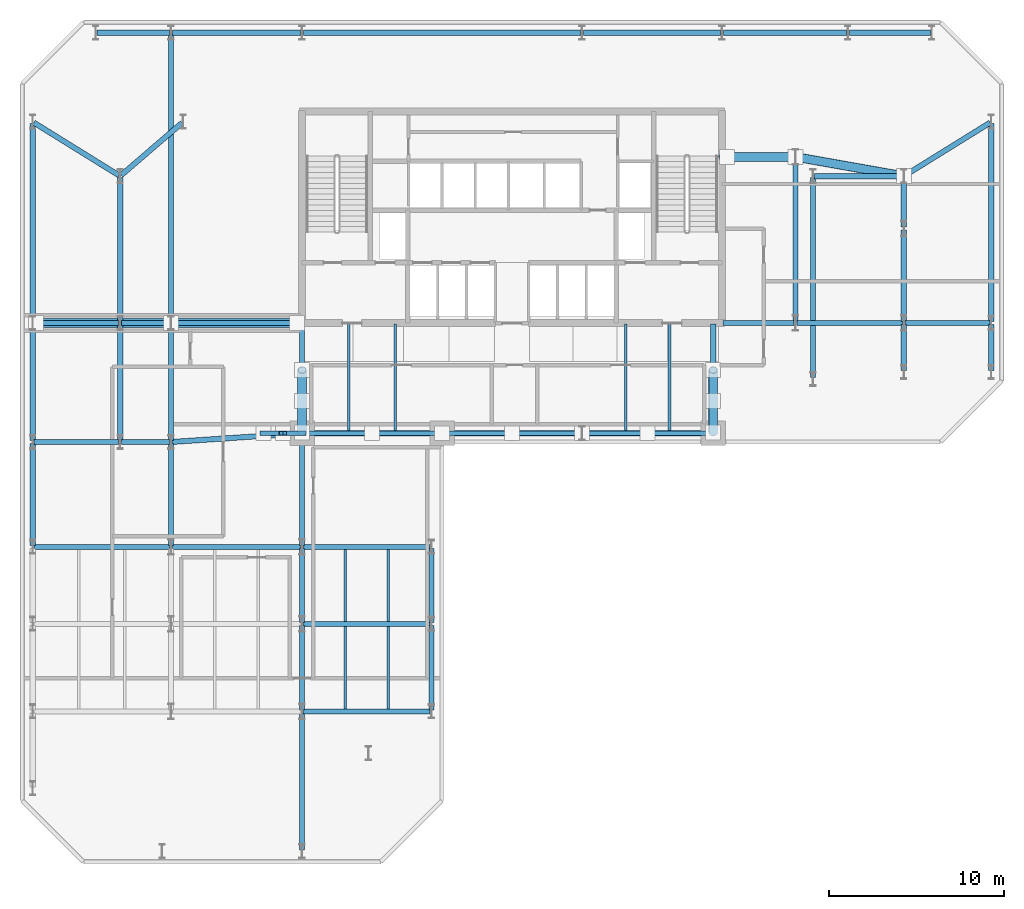
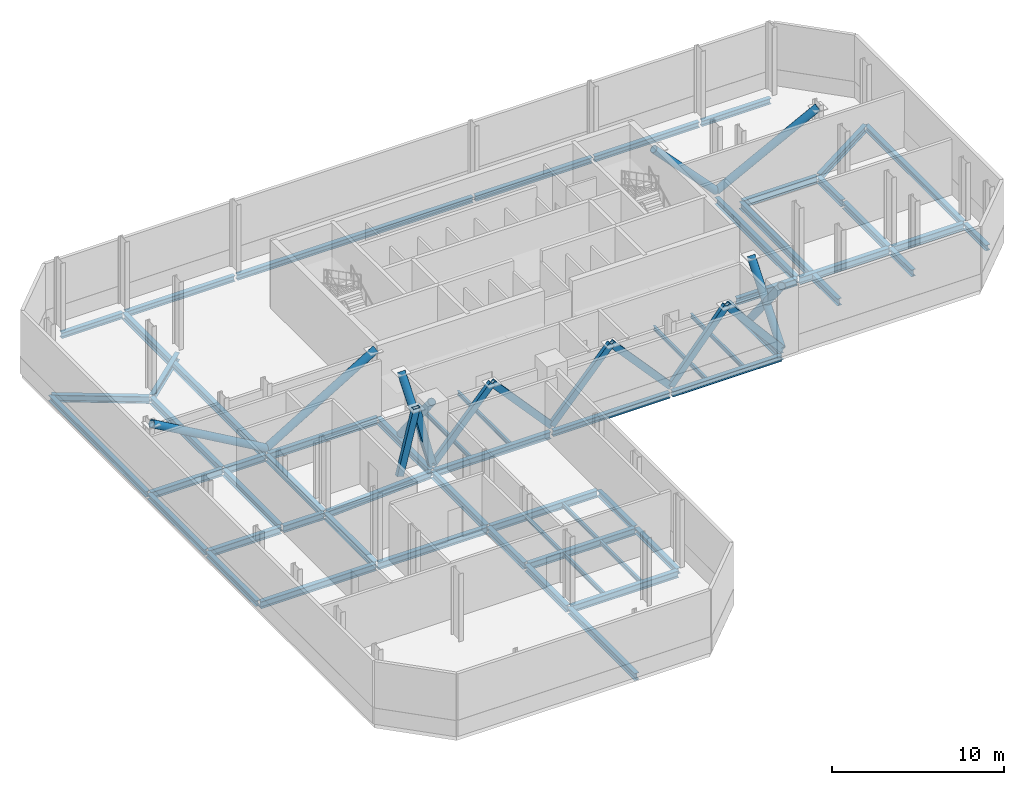
# One storey, part 3 of 8: 58 beams, 18 members.
"""IFC4 building model written with IfcOpenShell, lengths in metres."""

from ifc_helpers import new_model, si_unit, direction, frame, origin, origin_2d, place, context, subcontext, project, spatial, hollow_rectangle, hollow_circle, i_section, extrude, material, material_profile, profile_set, type_object, element, save


model = new_model("IFC4")

# Units and contexts
model_context = context("Model", 3, precision=1e-05, world=origin(), true_north=direction((0.0, 1.0)))
body_context = subcontext(model_context, "Body", "Model", "MODEL_VIEW")
ifc_project = project(units=[si_unit("LENGTHUNIT", "METRE"), si_unit("AREAUNIT", "SQUARE_METRE"), si_unit("VOLUMEUNIT", "CUBIC_METRE"), si_unit("PLANEANGLEUNIT", "RADIAN"), si_unit("MASSUNIT", "GRAM", prefix="KILO")], contexts=[model_context])

# Site, building, storey
site_placement = place(None, origin())
site = spatial("IfcSite", under=ifc_project, at=site_placement, CompositionType="ELEMENT")
building_placement = place(site_placement, origin())
building = spatial("IfcBuilding", under=site, at=building_placement, Name="Catumbela Crestline Tower", CompositionType="ELEMENT")
storey_placement = place(building_placement, frame((0.0, 0.0, 79.8)))
storey = spatial("IfcBuildingStorey", under=building, at=storey_placement, Name="L20", CompositionType="ELEMENT", Elevation=79.8)

# Beams
ifc_material_1 = material(Name="Structural steel S355J2", Category="steel")
ifc_material_profile_1 = material_profile(ifc_material_1, i_section(OverallWidth=0.3, OverallDepth=0.49, WebThickness=0.012, FlangeThickness=0.023, FilletRadius=0.027, at=origin_2d()), Name="HEA 500")
ifc_profile_set_1 = profile_set([ifc_material_profile_1], Name="Structural steel S355J2")
beam_type_1 = type_object("IfcBeamType", Name="BG-HEA500", PredefinedType="BEAM", material=ifc_profile_set_1)
beam_1_placement = place(storey_placement, frame((0.68, 24.0, -0.595), z_axis=(1.0, 0.0, 0.0), x_axis=(0.0, 1.0, 0.0)))
element("IfcBeam", 1, at=beam_1_placement, inside=storey, type_object=beam_type_1, Name="L20 Beam BM-L20-S01", PredefinedType="BEAM", context=body_context, shape_type="SweptSolid", body=[
    extrude(i_section(OverallWidth=0.3, OverallDepth=0.49, WebThickness=0.012, FlangeThickness=0.023, FilletRadius=0.027, at=origin_2d()), origin(), (0.0, 0.0, 1.0), 4.84),
])
beam_2_placement = place(storey_placement, frame((5.68, 24.0, -0.595), z_axis=(1.0, 0.0, 0.0), x_axis=(0.0, 1.0, 0.0)))
element("IfcBeam", 2, at=beam_2_placement, inside=storey, type_object=beam_type_1, Name="L20 Beam BM-L20-S02", PredefinedType="BEAM", context=body_context, shape_type="SweptSolid", body=[
    extrude(i_section(OverallWidth=0.3, OverallDepth=0.49, WebThickness=0.012, FlangeThickness=0.023, FilletRadius=0.027, at=origin_2d()), origin(), (0.0, 0.0, 1.0), 2.74),
])
beam_3_placement = place(storey_placement, frame((8.5798, 24.0053, -0.595), z_axis=(0.997784796964, 0.066524423687, 0.0), x_axis=(-0.066524423687, 0.997784796964, 0.0)))
element("IfcBeam", 3, at=beam_3_placement, inside=storey, type_object=beam_type_1, Name="L20 Beam BM-L20-S03", PredefinedType="BEAM", context=body_context, shape_type="SweptSolid", body=[
    extrude(i_section(OverallWidth=0.3, OverallDepth=0.49, WebThickness=0.012, FlangeThickness=0.023, FilletRadius=0.027, at=origin_2d()), origin(), (0.0, 0.0, 1.0), 7.3567),
])
beam_4_placement = place(storey_placement, frame((16.08, 24.5, -0.595), z_axis=(1.0, 0.0, 0.0), x_axis=(0.0, 1.0, 0.0)))
element("IfcBeam", 4, at=beam_4_placement, inside=storey, type_object=beam_type_1, Name="L20 Beam BM-L20-S04", PredefinedType="BEAM", context=body_context, shape_type="SweptSolid", body=[
    extrude(i_section(OverallWidth=0.3, OverallDepth=0.49, WebThickness=0.012, FlangeThickness=0.023, FilletRadius=0.027, at=origin_2d()), origin(), (0.0, 0.0, 1.0), 7.84),
])
beam_5_placement = place(storey_placement, frame((0.68, 30.8, -0.595), z_axis=(1.0, 0.0, 0.0), x_axis=(0.0, 1.0, 0.0)))
element("IfcBeam", 5, at=beam_5_placement, inside=storey, type_object=beam_type_1, Name="L20 Beam BM-L20-M07", PredefinedType="BEAM", context=body_context, shape_type="SweptSolid", body=[
    extrude(i_section(OverallWidth=0.3, OverallDepth=0.49, WebThickness=0.012, FlangeThickness=0.023, FilletRadius=0.027, at=origin_2d()), origin(), (0.0, 0.0, 1.0), 4.84),
])
beam_6_placement = place(storey_placement, frame((5.68, 30.8, -0.595), z_axis=(1.0, 0.0, 0.0), x_axis=(0.0, 1.0, 0.0)))
element("IfcBeam", 6, at=beam_6_placement, inside=storey, type_object=beam_type_1, Name="L20 Beam BM-L20-M08", PredefinedType="BEAM", context=body_context, shape_type="SweptSolid", body=[
    extrude(i_section(OverallWidth=0.3, OverallDepth=0.49, WebThickness=0.012, FlangeThickness=0.023, FilletRadius=0.027, at=origin_2d()), origin(), (0.0, 0.0, 1.0), 2.74),
])
beam_7_placement = place(storey_placement, frame((8.58, 30.8, -0.595), z_axis=(1.0, 0.0, 0.0), x_axis=(0.0, 1.0, 0.0)))
element("IfcBeam", 7, at=beam_7_placement, inside=storey, type_object=beam_type_1, Name="L20 Beam BM-L20-M09", PredefinedType="BEAM", context=body_context, shape_type="SweptSolid", body=[
    extrude(i_section(OverallWidth=0.3, OverallDepth=0.49, WebThickness=0.012, FlangeThickness=0.023, FilletRadius=0.027, at=origin_2d()), origin(), (0.0, 0.0, 1.0), 7.37),
])
beam_8_placement = place(storey_placement, frame((40.05, 30.8, -0.595), z_axis=(1.0, 0.0, 0.0), x_axis=(0.0, 1.0, 0.0)))
element("IfcBeam", 8, at=beam_8_placement, inside=storey, type_object=beam_type_1, Name="L20 Beam BM-L20-M10", PredefinedType="BEAM", context=body_context, shape_type="SweptSolid", body=[
    extrude(i_section(OverallWidth=0.3, OverallDepth=0.49, WebThickness=0.012, FlangeThickness=0.023, FilletRadius=0.027, at=origin_2d()), origin(), (0.0, 0.0, 1.0), 4.07),
])
beam_9_placement = place(storey_placement, frame((44.28, 30.8, -0.595), z_axis=(1.0, 0.0, 0.0), x_axis=(0.0, 1.0, 0.0)))
element("IfcBeam", 9, at=beam_9_placement, inside=storey, type_object=beam_type_1, Name="L20 Beam BM-L20-M11", PredefinedType="BEAM", context=body_context, shape_type="SweptSolid", body=[
    extrude(i_section(OverallWidth=0.3, OverallDepth=0.49, WebThickness=0.012, FlangeThickness=0.023, FilletRadius=0.027, at=origin_2d()), origin(), (0.0, 0.0, 1.0), 6.04),
])
beam_10_placement = place(storey_placement, frame((50.48, 30.8, -0.595), z_axis=(1.0, 0.0, 0.0), x_axis=(0.0, 1.0, 0.0)))
element("IfcBeam", 10, at=beam_10_placement, inside=storey, type_object=beam_type_1, Name="L20 Beam BM-L20-M12", PredefinedType="BEAM", context=body_context, shape_type="SweptSolid", body=[
    extrude(i_section(OverallWidth=0.3, OverallDepth=0.49, WebThickness=0.012, FlangeThickness=0.023, FilletRadius=0.027, at=origin_2d()), origin(), (0.0, 0.0, 1.0), 4.84),
])
beam_11_placement = place(storey_placement, frame((0.668, 42.2578, -0.595), z_axis=(0.849908952007, -0.526929571479, 0.0), x_axis=(0.526929571479, 0.849908952007, 0.0)))
element("IfcBeam", 11, at=beam_11_placement, inside=storey, type_object=beam_type_1, Name="L20 Beam BM-L20-N13", PredefinedType="BEAM", context=body_context, shape_type="SweptSolid", body=[
    extrude(i_section(OverallWidth=0.3, OverallDepth=0.49, WebThickness=0.012, FlangeThickness=0.023, FilletRadius=0.027, at=origin_2d()), origin(), (0.0, 0.0, 1.0), 5.723),
])
beam_12_placement = place(storey_placement, frame((5.6606, 39.2522, -0.595), z_axis=(0.757772392559, 0.652518966066, 0.0), x_axis=(-0.652518966066, 0.757772392559, 0.0)))
element("IfcBeam", 12, at=beam_12_placement, inside=storey, type_object=beam_type_1, Name="L20 Beam BM-L20-N14", PredefinedType="BEAM", context=body_context, shape_type="SweptSolid", body=[
    extrude(i_section(OverallWidth=0.3, OverallDepth=0.49, WebThickness=0.012, FlangeThickness=0.023, FilletRadius=0.027, at=origin_2d()), origin(), (0.0, 0.0, 1.0), 4.5908),
])
beam_13_placement = place(storey_placement, frame((45.28, 39.2, -0.595), z_axis=(1.0, 0.0, 0.0), x_axis=(0.0, 1.0, 0.0)))
element("IfcBeam", 13, at=beam_13_placement, inside=storey, type_object=beam_type_1, Name="L20 Beam BM-L20-N17", PredefinedType="BEAM", context=body_context, shape_type="SweptSolid", body=[
    extrude(i_section(OverallWidth=0.3, OverallDepth=0.49, WebThickness=0.012, FlangeThickness=0.023, FilletRadius=0.027, at=origin_2d()), origin(), (0.0, 0.0, 1.0), 5.04),
])
beam_14_placement = place(storey_placement, frame((50.468, 39.2422, -0.595), z_axis=(0.849908952007, 0.526929571479, 0.0), x_axis=(-0.526929571479, 0.849908952007, 0.0)))
element("IfcBeam", 14, at=beam_14_placement, inside=storey, type_object=beam_type_1, Name="L20 Beam BM-L20-N18", PredefinedType="BEAM", context=body_context, shape_type="SweptSolid", body=[
    extrude(i_section(OverallWidth=0.3, OverallDepth=0.49, WebThickness=0.012, FlangeThickness=0.023, FilletRadius=0.027, at=origin_2d()), origin(), (0.0, 0.0, 1.0), 5.723),
])
beam_15_placement = place(storey_placement, frame((5.6, 24.08, -0.595), z_axis=(0.0, 1.0, 0.0), x_axis=(-1.0, 0.0, 0.0)))
element("IfcBeam", 15, at=beam_15_placement, inside=storey, type_object=beam_type_1, Name="L20 Beam BM-L20-SN27", PredefinedType="BEAM", context=body_context, shape_type="SweptSolid", body=[
    extrude(i_section(OverallWidth=0.3, OverallDepth=0.49, WebThickness=0.012, FlangeThickness=0.023, FilletRadius=0.027, at=origin_2d()), origin(), (0.0, 0.0, 1.0), 6.64),
])
beam_16_placement = place(storey_placement, frame((5.6, 30.88, -0.595), z_axis=(0.0, 1.0, 0.0), x_axis=(-1.0, 0.0, 0.0)))
element("IfcBeam", 16, at=beam_16_placement, inside=storey, type_object=beam_type_1, Name="L20 Beam BM-L20-SN28", PredefinedType="BEAM", context=body_context, shape_type="SweptSolid", body=[
    extrude(i_section(OverallWidth=0.3, OverallDepth=0.49, WebThickness=0.012, FlangeThickness=0.023, FilletRadius=0.027, at=origin_2d()), origin(), (0.0, 0.0, 1.0), 8.24),
])
beam_17_placement = place(storey_placement, frame((8.5, 24.08, -0.595), z_axis=(0.0, 1.0, 0.0), x_axis=(-1.0, 0.0, 0.0)))
element("IfcBeam", 17, at=beam_17_placement, inside=storey, type_object=beam_type_1, Name="L20 Beam BM-L20-SN29", PredefinedType="BEAM", context=body_context, shape_type="SweptSolid", body=[
    extrude(i_section(OverallWidth=0.3, OverallDepth=0.49, WebThickness=0.012, FlangeThickness=0.023, FilletRadius=0.027, at=origin_2d()), origin(), (0.0, 0.0, 1.0), 6.64),
])
beam_18_placement = place(storey_placement, frame((8.5, 30.88, -0.595), z_axis=(0.0, 1.0, 0.0), x_axis=(-1.0, 0.0, 0.0)))
element("IfcBeam", 18, at=beam_18_placement, inside=storey, type_object=beam_type_1, Name="L20 Beam BM-L20-SN30", PredefinedType="BEAM", context=body_context, shape_type="SweptSolid", body=[
    extrude(i_section(OverallWidth=0.3, OverallDepth=0.49, WebThickness=0.012, FlangeThickness=0.023, FilletRadius=0.027, at=origin_2d()), origin(), (0.0, 0.0, 1.0), 16.44),
])
for number, where, z_axis, x_axis, name in (
    (19, (16.0, 24.58, -0.595), (0.0, 1.0, 0.0), (-1.0, 0.0, 0.0), "L20 Beam BM-L20-SNS31"),
    (20, (39.5, 24.58, -0.595), (0.0, 1.0, 0.0), (-1.0, 0.0, 0.0), "L20 Beam BM-L20-SNS34"),
):
    element("IfcBeam", number, at=place(storey_placement, frame(where, z_axis=z_axis, x_axis=x_axis)), inside=storey, type_object=beam_type_1, Name=name, PredefinedType="BEAM", context=body_context, shape_type="SweptSolid", body=[
        extrude(i_section(OverallWidth=0.3, OverallDepth=0.49, WebThickness=0.012, FlangeThickness=0.023, FilletRadius=0.027, at=origin_2d()), origin(), (0.0, 0.0, 1.0), 6.17),
    ])
beam_19_placement = place(storey_placement, frame((44.2, 30.88, -0.595), z_axis=(0.0, 1.0, 0.0), x_axis=(-1.0, 0.0, 0.0)))
element("IfcBeam", 21, at=beam_19_placement, inside=storey, type_object=beam_type_1, Name="L20 Beam BM-L20-SN35", PredefinedType="BEAM", context=body_context, shape_type="SweptSolid", body=[
    extrude(i_section(OverallWidth=0.3, OverallDepth=0.49, WebThickness=0.012, FlangeThickness=0.023, FilletRadius=0.027, at=origin_2d()), origin(), (0.0, 0.0, 1.0), 9.34),
])
beam_20_placement = place(storey_placement, frame((45.2, 27.68, -0.595), z_axis=(0.0, 1.0, 0.0), x_axis=(-1.0, 0.0, 0.0)))
element("IfcBeam", 22, at=beam_20_placement, inside=storey, type_object=beam_type_1, Name="L20 Beam BM-L20-SN36", PredefinedType="BEAM", context=body_context, shape_type="SweptSolid", body=[
    extrude(i_section(OverallWidth=0.3, OverallDepth=0.49, WebThickness=0.012, FlangeThickness=0.023, FilletRadius=0.027, at=origin_2d()), origin(), (0.0, 0.0, 1.0), 11.44),
])
beam_21_placement = place(storey_placement, frame((50.4, 28.08, -0.595), z_axis=(0.0, 1.0, 0.0), x_axis=(-1.0, 0.0, 0.0)))
element("IfcBeam", 23, at=beam_21_placement, inside=storey, type_object=beam_type_1, Name="L20 Beam BM-L20-SN37", PredefinedType="BEAM", context=body_context, shape_type="SweptSolid", body=[
    extrude(i_section(OverallWidth=0.3, OverallDepth=0.49, WebThickness=0.012, FlangeThickness=0.023, FilletRadius=0.027, at=origin_2d()), origin(), (0.0, 0.0, 1.0), 2.64),
])
beam_22_placement = place(storey_placement, frame((50.4, 30.88, -0.595), z_axis=(0.0, 1.0, 0.0), x_axis=(-1.0, 0.0, 0.0)))
element("IfcBeam", 24, at=beam_22_placement, inside=storey, type_object=beam_type_1, Name="L20 Beam BM-L20-SN38", PredefinedType="BEAM", context=body_context, shape_type="SweptSolid", body=[
    extrude(i_section(OverallWidth=0.3, OverallDepth=0.49, WebThickness=0.012, FlangeThickness=0.023, FilletRadius=0.027, at=origin_2d()), origin(), (0.0, 0.0, 1.0), 5.24),
])
beam_23_placement = place(storey_placement, frame((50.4, 36.28, -0.595), z_axis=(0.0, 1.0, 0.0), x_axis=(-1.0, 0.0, 0.0)))
element("IfcBeam", 25, at=beam_23_placement, inside=storey, type_object=beam_type_1, Name="L20 Beam BM-L20-SN39", PredefinedType="BEAM", context=body_context, shape_type="SweptSolid", body=[
    extrude(i_section(OverallWidth=0.3, OverallDepth=0.49, WebThickness=0.012, FlangeThickness=0.023, FilletRadius=0.027, at=origin_2d()), origin(), (0.0, 0.0, 1.0), 2.84),
])
for number, where, z_axis, x_axis, name in (
    (26, (16.08, 8.6, -0.595), (1.0, 0.0, 0.0), (0.0, 1.0, 0.0), "L20 Beam BM-L20-WEW50"),
    (27, (16.08, 13.6, -0.595), (1.0, 0.0, 0.0), (0.0, 1.0, 0.0), "L20 Beam BM-L20-WEW53"),
):
    element("IfcBeam", number, at=place(storey_placement, frame(where, z_axis=z_axis, x_axis=x_axis)), inside=storey, type_object=beam_type_1, Name=name, PredefinedType="BEAM", context=body_context, shape_type="SweptSolid", body=[
        extrude(i_section(OverallWidth=0.3, OverallDepth=0.49, WebThickness=0.012, FlangeThickness=0.023, FilletRadius=0.027, at=origin_2d()), origin(), (0.0, 0.0, 1.0), 7.24),
    ])
beam_24_placement = place(storey_placement, frame((0.68, 18.0, -0.595), z_axis=(1.0, 0.0, 0.0), x_axis=(0.0, 1.0, 0.0)))
element("IfcBeam", 28, at=beam_24_placement, inside=storey, type_object=beam_type_1, Name="L20 Beam BM-L20-WEW54", PredefinedType="BEAM", context=body_context, shape_type="SweptSolid", body=[
    extrude(i_section(OverallWidth=0.3, OverallDepth=0.49, WebThickness=0.012, FlangeThickness=0.023, FilletRadius=0.027, at=origin_2d()), origin(), (0.0, 0.0, 1.0), 7.74),
])
beam_25_placement = place(storey_placement, frame((8.58, 18.0, -0.595), z_axis=(1.0, 0.0, 0.0), x_axis=(0.0, 1.0, 0.0)))
element("IfcBeam", 29, at=beam_25_placement, inside=storey, type_object=beam_type_1, Name="L20 Beam BM-L20-WEW55", PredefinedType="BEAM", context=body_context, shape_type="SweptSolid", body=[
    extrude(i_section(OverallWidth=0.3, OverallDepth=0.49, WebThickness=0.012, FlangeThickness=0.023, FilletRadius=0.027, at=origin_2d()), origin(), (0.0, 0.0, 1.0), 7.34),
])
beam_26_placement = place(storey_placement, frame((16.08, 18.0, -0.595), z_axis=(1.0, 0.0, 0.0), x_axis=(0.0, 1.0, 0.0)))
element("IfcBeam", 30, at=beam_26_placement, inside=storey, type_object=beam_type_1, Name="L20 Beam BM-L20-WEW56", PredefinedType="BEAM", context=body_context, shape_type="SweptSolid", body=[
    extrude(i_section(OverallWidth=0.3, OverallDepth=0.49, WebThickness=0.012, FlangeThickness=0.023, FilletRadius=0.027, at=origin_2d()), origin(), (0.0, 0.0, 1.0), 7.24),
])
beam_27_placement = place(storey_placement, frame((8.5, 18.08, -0.595), z_axis=(0.0, 1.0, 0.0), x_axis=(-1.0, 0.0, 0.0)))
element("IfcBeam", 31, at=beam_27_placement, inside=storey, type_object=beam_type_1, Name="L20 Beam BM-L20-WNS63", PredefinedType="BEAM", context=body_context, shape_type="SweptSolid", body=[
    extrude(i_section(OverallWidth=0.3, OverallDepth=0.49, WebThickness=0.012, FlangeThickness=0.023, FilletRadius=0.027, at=origin_2d()), origin(), (0.0, 0.0, 1.0), 5.84),
])
beam_28_placement = place(storey_placement, frame((16.0, 0.68, -0.595), z_axis=(0.0, 1.0, 0.0), x_axis=(-1.0, 0.0, 0.0)))
element("IfcBeam", 32, at=beam_28_placement, inside=storey, type_object=beam_type_1, Name="L20 Beam BM-L20-WNS64", PredefinedType="BEAM", context=body_context, shape_type="SweptSolid", body=[
    extrude(i_section(OverallWidth=0.3, OverallDepth=0.49, WebThickness=0.012, FlangeThickness=0.023, FilletRadius=0.027, at=origin_2d()), origin(), (0.0, 0.0, 1.0), 7.84),
])
beam_29_placement = place(storey_placement, frame((16.0, 8.68, -0.595), z_axis=(0.0, 1.0, 0.0), x_axis=(-1.0, 0.0, 0.0)))
element("IfcBeam", 33, at=beam_29_placement, inside=storey, type_object=beam_type_1, Name="L20 Beam BM-L20-WNS65", PredefinedType="BEAM", context=body_context, shape_type="SweptSolid", body=[
    extrude(i_section(OverallWidth=0.3, OverallDepth=0.49, WebThickness=0.012, FlangeThickness=0.023, FilletRadius=0.027, at=origin_2d()), origin(), (0.0, 0.0, 1.0), 4.84),
])
beam_30_placement = place(storey_placement, frame((16.0, 13.68, -0.595), z_axis=(0.0, 1.0, 0.0), x_axis=(-1.0, 0.0, 0.0)))
element("IfcBeam", 34, at=beam_30_placement, inside=storey, type_object=beam_type_1, Name="L20 Beam BM-L20-WNS66", PredefinedType="BEAM", context=body_context, shape_type="SweptSolid", body=[
    extrude(i_section(OverallWidth=0.3, OverallDepth=0.49, WebThickness=0.012, FlangeThickness=0.023, FilletRadius=0.027, at=origin_2d()), origin(), (0.0, 0.0, 1.0), 4.24),
])
beam_31_placement = place(storey_placement, frame((16.0, 18.08, -0.595), z_axis=(0.0, 1.0, 0.0), x_axis=(-1.0, 0.0, 0.0)))
element("IfcBeam", 35, at=beam_31_placement, inside=storey, type_object=beam_type_1, Name="L20 Beam BM-L20-WNS67", PredefinedType="BEAM", context=body_context, shape_type="SweptSolid", body=[
    extrude(i_section(OverallWidth=0.3, OverallDepth=0.49, WebThickness=0.012, FlangeThickness=0.023, FilletRadius=0.027, at=origin_2d()), origin(), (0.0, 0.0, 1.0), 6.34),
])
ifc_material_profile_2 = material_profile(ifc_material_1, i_section(OverallWidth=0.15, OverallDepth=0.3, WebThickness=0.0071, FlangeThickness=0.0107, FilletRadius=0.015, at=origin_2d()), Name="IPE 300")
ifc_profile_set_2 = profile_set([ifc_material_profile_2], Name="Structural steel S355J2")
beam_type_2 = type_object("IfcBeamType", Name="BJ-IPE300", PredefinedType="JOIST", material=ifc_profile_set_2)
for number, where, z_axis, x_axis, name in (
    (36, (18.667, 24.647, -0.5), (0.0, 1.0, 0.0), (-1.0, 0.0, 0.0), "L20 Joist JS-L20-SP42"),
    (37, (21.333, 24.647, -0.5), (0.0, 1.0, 0.0), (-1.0, 0.0, 0.0), "L20 Joist JS-L20-SP43"),
    (38, (34.5, 24.647, -0.5), (0.0, 1.0, 0.0), (-1.0, 0.0, 0.0), "L20 Joist JS-L20-SP46"),
    (39, (37.0, 24.647, -0.5), (0.0, 1.0, 0.0), (-1.0, 0.0, 0.0), "L20 Joist JS-L20-SP47"),
):
    element("IfcBeam", number, at=place(storey_placement, frame(where, z_axis=z_axis, x_axis=x_axis)), inside=storey, type_object=beam_type_2, Name=name, PredefinedType="JOIST", context=body_context, shape_type="SweptSolid", body=[
        extrude(i_section(OverallWidth=0.15, OverallDepth=0.3, WebThickness=0.0071, FlangeThickness=0.0107, FilletRadius=0.015, at=origin_2d()), origin(), (0.0, 0.0, 1.0), 6.103),
    ])
for number, where, z_axis, x_axis, name in (
    (40, (18.467, 8.747, -0.5), (0.0, 1.0, 0.0), (-1.0, 0.0, 0.0), "L20 Joist JS-L20-WG74"),
    (41, (20.933, 8.747, -0.5), (0.0, 1.0, 0.0), (-1.0, 0.0, 0.0), "L20 Joist JS-L20-WG75"),
):
    element("IfcBeam", number, at=place(storey_placement, frame(where, z_axis=z_axis, x_axis=x_axis)), inside=storey, type_object=beam_type_2, Name=name, PredefinedType="JOIST", context=body_context, shape_type="SweptSolid", body=[
        extrude(i_section(OverallWidth=0.15, OverallDepth=0.3, WebThickness=0.0071, FlangeThickness=0.0107, FilletRadius=0.015, at=origin_2d()), origin(), (0.0, 0.0, 1.0), 4.706),
    ])
for number, where, z_axis, x_axis, name in (
    (42, (18.467, 13.747, -0.5), (0.0, 1.0, 0.0), (-1.0, 0.0, 0.0), "L20 Joist JS-L20-WG80"),
    (43, (20.933, 13.747, -0.5), (0.0, 1.0, 0.0), (-1.0, 0.0, 0.0), "L20 Joist JS-L20-WG81"),
):
    element("IfcBeam", number, at=place(storey_placement, frame(where, z_axis=z_axis, x_axis=x_axis)), inside=storey, type_object=beam_type_2, Name=name, PredefinedType="JOIST", context=body_context, shape_type="SweptSolid", body=[
        extrude(i_section(OverallWidth=0.15, OverallDepth=0.3, WebThickness=0.0071, FlangeThickness=0.0107, FilletRadius=0.015, at=origin_2d()), origin(), (0.0, 0.0, 1.0), 4.106),
    ])

# Members
ifc_material_2 = material(Name="Structural steel S460M", Category="steel")
ifc_material_profile_3 = material_profile(ifc_material_2, hollow_rectangle(XDim=0.25, YDim=0.45, WallThickness=0.02, at=origin_2d()), Name="RHS 450x250x20")
ifc_profile_set_3 = profile_set([ifc_material_profile_3], Name="Structural steel S460M")
member_type_1 = type_object("IfcMemberType", Name="BB-450", PredefinedType="BRACE", material=ifc_profile_set_3)
for number, where, z_axis, x_axis, name in (
    (44, (13.8, 24.5, 0.01), (0.240988864291, 0.0, 0.970527880737), (0.0, 1.0, 0.0), "L20 Outrigger and Belt Truss Diagonal BT-S1"),
    (45, (14.9, 24.5, 4.44), (0.240988864291, 0.0, -0.970527880737), (0.0, 1.0, 0.0), "L20 Outrigger and Belt Truss Diagonal BT-S2"),
):
    element("IfcMember", number, at=place(storey_placement, frame(where, z_axis=z_axis, x_axis=x_axis)), inside=storey, type_object=member_type_1, Name=name, PredefinedType="BRACE", context=body_context, shape_type="SweptSolid", body=[
        extrude(hollow_rectangle(XDim=0.25, YDim=0.45, WallThickness=0.02, at=origin_2d()), origin(), (0.0, 0.0, 1.0), 4.5645),
    ])
for number, where, z_axis, x_axis, name in (
    (46, (16.0, 24.5, 0.01), (0.670167193853, 0.0, 0.742210167192), (0.0, 1.0, 0.0), "L20 Outrigger and Belt Truss Diagonal BT-S3"),
    (47, (20.0, 24.5, 4.44), (0.670167193853, 0.0, -0.742210167192), (0.0, 1.0, 0.0), "L20 Outrigger and Belt Truss Diagonal BT-S4"),
    (48, (24.0, 24.5, 0.01), (0.670167193853, 0.0, 0.742210167192), (0.0, 1.0, 0.0), "L20 Outrigger and Belt Truss Diagonal BT-S5"),
    (49, (28.0, 24.5, 4.44), (0.670167193853, 0.0, -0.742210167192), (0.0, 1.0, 0.0), "L20 Outrigger and Belt Truss Diagonal BT-S6"),
):
    element("IfcMember", number, at=place(storey_placement, frame(where, z_axis=z_axis, x_axis=x_axis)), inside=storey, type_object=member_type_1, Name=name, PredefinedType="BRACE", context=body_context, shape_type="SweptSolid", body=[
        extrude(hollow_rectangle(XDim=0.25, YDim=0.45, WallThickness=0.02, at=origin_2d()), origin(), (0.0, 0.0, 1.0), 5.9687),
    ])
for number, where, z_axis, x_axis, name in (
    (50, (32.0, 24.5, 0.01), (0.646096697338, 0.0, 0.763255565122), (0.0, 1.0, 0.0), "L20 Outrigger and Belt Truss Diagonal BT-S7"),
    (51, (35.75, 24.5, 4.44), (0.646096697338, 0.0, -0.763255565122), (0.0, 1.0, 0.0), "L20 Outrigger and Belt Truss Diagonal BT-S8"),
):
    element("IfcMember", number, at=place(storey_placement, frame(where, z_axis=z_axis, x_axis=x_axis)), inside=storey, type_object=member_type_1, Name=name, PredefinedType="BRACE", context=body_context, shape_type="SweptSolid", body=[
        extrude(hollow_rectangle(XDim=0.25, YDim=0.45, WallThickness=0.02, at=origin_2d()), origin(), (0.0, 0.0, 1.0), 5.8041),
    ])
ifc_material_profile_4 = material_profile(ifc_material_2, hollow_circle(Radius=0.254, WallThickness=0.03, at=origin_2d()), Name="CHS 508x30")
ifc_profile_set_4 = profile_set([ifc_material_profile_4], Name="Structural steel S460M")
member_type_2 = type_object("IfcMemberType", Name="OB-508", PredefinedType="BRACE", material=ifc_profile_set_4)
member_1_placement = place(storey_placement, frame((16.0, 28.12, 4.44), z_axis=(0.0, -0.627477572979, -0.778634635377), x_axis=(1.0, 0.0, 0.0)))
element("IfcMember", 52, at=member_1_placement, inside=storey, type_object=member_type_2, Name="L20 Outrigger and Belt Truss Diagonal OU-W1", PredefinedType="BRACE", context=body_context, shape_type="SweptSolid", body=[
    extrude(hollow_circle(Radius=0.254, WallThickness=0.03, at=origin_2d()), origin(), (0.0, 0.0, 1.0), 5.6894),
])
for number, where, z_axis, x_axis, name in (
    (53, (16.0, 28.12, 0.01), (0.0, -0.624695047554, 0.780868809443), (1.0, 0.0, 0.0), "L20 Outrigger and Belt Truss Diagonal OU-W2A"),
    (54, (16.0, 26.29, 2.265), (0.0, -0.624695047554, 0.780868809443), (1.0, 0.0, 0.0), "L20 Outrigger and Belt Truss Diagonal OU-W2B"),
):
    element("IfcMember", number, at=place(storey_placement, frame(where, z_axis=z_axis, x_axis=x_axis)), inside=storey, type_object=member_type_2, Name=name, PredefinedType="BRACE", context=body_context, shape_type="SweptSolid", body=[
        extrude(hollow_circle(Radius=0.254, WallThickness=0.03, at=origin_2d()), origin(), (0.0, 0.0, 1.0), 2.7854),
    ])
member_2_placement = place(storey_placement, frame((39.5, 28.12, 4.44), z_axis=(0.0, -0.627477572979, -0.778634635377), x_axis=(1.0, 0.0, 0.0)))
element("IfcMember", 55, at=member_2_placement, inside=storey, type_object=member_type_2, Name="L20 Outrigger and Belt Truss Diagonal OU-E1", PredefinedType="BRACE", context=body_context, shape_type="SweptSolid", body=[
    extrude(hollow_circle(Radius=0.254, WallThickness=0.03, at=origin_2d()), origin(), (0.0, 0.0, 1.0), 5.6894),
])
for number, where, z_axis, x_axis, name in (
    (56, (39.5, 28.12, 0.01), (0.0, -0.624695047554, 0.780868809443), (1.0, 0.0, 0.0), "L20 Outrigger and Belt Truss Diagonal OU-E2A"),
    (57, (39.5, 26.29, 2.265), (0.0, -0.624695047554, 0.780868809443), (1.0, 0.0, 0.0), "L20 Outrigger and Belt Truss Diagonal OU-E2B"),
):
    element("IfcMember", number, at=place(storey_placement, frame(where, z_axis=z_axis, x_axis=x_axis)), inside=storey, type_object=member_type_2, Name=name, PredefinedType="BRACE", context=body_context, shape_type="SweptSolid", body=[
        extrude(hollow_circle(Radius=0.254, WallThickness=0.03, at=origin_2d()), origin(), (0.0, 0.0, 1.0), 2.7854),
    ])
member_3_placement = place(storey_placement, frame((15.85, 30.8, 4.44), z_axis=(-0.85646304655, 0.0, -0.516208339621), x_axis=(0.0, -1.0, 0.0)))
element("IfcMember", 58, at=member_3_placement, inside=storey, type_object=member_type_2, Name="L20 Outrigger and Belt Truss Diagonal OU-LW1", PredefinedType="BRACE", context=body_context, shape_type="SweptSolid", body=[
    extrude(hollow_circle(Radius=0.254, WallThickness=0.03, at=origin_2d()), origin(), (0.0, 0.0, 1.0), 8.5818),
])
member_4_placement = place(storey_placement, frame((8.5, 30.8, 0.01), z_axis=(-0.867342916446, 0.0, 0.497711025888), x_axis=(0.0, -1.0, 0.0)))
element("IfcMember", 59, at=member_4_placement, inside=storey, type_object=member_type_2, Name="L20 Outrigger and Belt Truss Diagonal OU-LW2", PredefinedType="BRACE", context=body_context, shape_type="SweptSolid", body=[
    extrude(hollow_circle(Radius=0.254, WallThickness=0.03, at=origin_2d()), origin(), (0.0, 0.0, 1.0), 8.9007),
])
member_5_placement = place(storey_placement, frame((40.0, 40.3, 4.44), z_axis=(0.688017223549, 0.0, -0.725694357219), x_axis=(0.0, 1.0, 0.0)))
element("IfcMember", 60, at=member_5_placement, inside=storey, type_object=member_type_2, Name="L20 Outrigger and Belt Truss Diagonal OU-LE1", PredefinedType="BRACE", context=body_context, shape_type="SweptSolid", body=[
    extrude(hollow_circle(Radius=0.254, WallThickness=0.03, at=origin_2d()), origin(), (0.0, 0.0, 1.0), 6.1045),
])
member_6_placement = place(storey_placement, frame((44.2, 40.3, 0.01), z_axis=(0.805297358445, -0.142875337789, 0.575397951276), x_axis=(0.174691224621, 0.984623266047, 0.0)))
element("IfcMember", 61, at=member_6_placement, inside=storey, type_object=member_type_2, Name="L20 Outrigger and Belt Truss Diagonal OU-LE2", PredefinedType="BRACE", context=body_context, shape_type="SweptSolid", body=[
    extrude(hollow_circle(Radius=0.254, WallThickness=0.03, at=origin_2d()), origin(), (0.0, 0.0, 1.0), 7.699),
])

# Beams
ifc_material_profile_5 = material_profile(ifc_material_1, i_section(OverallWidth=0.3, OverallDepth=0.4, WebThickness=0.0135, FlangeThickness=0.024, FilletRadius=0.027, at=origin_2d()), Name="HEB 400")
ifc_profile_set_5 = profile_set([ifc_material_profile_5], Name="Structural steel S355J2")
beam_type_3 = type_object("IfcBeamType", Name="BS-HEB400", PredefinedType="SPANDREL", material=ifc_profile_set_5)
beam_32_placement = place(storey_placement, frame((24.08, 24.5, -0.55), z_axis=(1.0, 0.0, 0.0), x_axis=(0.0, 1.0, 0.0)))
element("IfcBeam", 62, at=beam_32_placement, inside=storey, type_object=beam_type_3, Name="L20 Spandrel SP-L20-S05", PredefinedType="SPANDREL", context=body_context, shape_type="SweptSolid", body=[
    extrude(i_section(OverallWidth=0.3, OverallDepth=0.4, WebThickness=0.0135, FlangeThickness=0.024, FilletRadius=0.027, at=origin_2d()), origin(), (0.0, 0.0, 1.0), 7.84),
])
beam_33_placement = place(storey_placement, frame((32.08, 24.5, -0.55), z_axis=(1.0, 0.0, 0.0), x_axis=(0.0, 1.0, 0.0)))
element("IfcBeam", 63, at=beam_33_placement, inside=storey, type_object=beam_type_3, Name="L20 Spandrel SP-L20-S06", PredefinedType="SPANDREL", context=body_context, shape_type="SweptSolid", body=[
    extrude(i_section(OverallWidth=0.3, OverallDepth=0.4, WebThickness=0.0135, FlangeThickness=0.024, FilletRadius=0.027, at=origin_2d()), origin(), (0.0, 0.0, 1.0), 7.34),
])
beam_34_placement = place(storey_placement, frame((4.28, 47.4, -0.55), z_axis=(1.0, 0.0, 0.0), x_axis=(0.0, 1.0, 0.0)))
element("IfcBeam", 64, at=beam_34_placement, inside=storey, type_object=beam_type_3, Name="L20 Spandrel SP-L20-NF19", PredefinedType="SPANDREL", context=body_context, shape_type="SweptSolid", body=[
    extrude(i_section(OverallWidth=0.3, OverallDepth=0.4, WebThickness=0.0135, FlangeThickness=0.024, FilletRadius=0.027, at=origin_2d()), origin(), (0.0, 0.0, 1.0), 4.14),
])
beam_35_placement = place(storey_placement, frame((8.58, 47.4, -0.55), z_axis=(1.0, 0.0, 0.0), x_axis=(0.0, 1.0, 0.0)))
element("IfcBeam", 65, at=beam_35_placement, inside=storey, type_object=beam_type_3, Name="L20 Spandrel SP-L20-NF20", PredefinedType="SPANDREL", context=body_context, shape_type="SweptSolid", body=[
    extrude(i_section(OverallWidth=0.3, OverallDepth=0.4, WebThickness=0.0135, FlangeThickness=0.024, FilletRadius=0.027, at=origin_2d()), origin(), (0.0, 0.0, 1.0), 7.34),
])
beam_36_placement = place(storey_placement, frame((16.08, 47.4, -0.55), z_axis=(1.0, 0.0, 0.0), x_axis=(0.0, 1.0, 0.0)))
element("IfcBeam", 66, at=beam_36_placement, inside=storey, type_object=beam_type_3, Name="L20 Spandrel SP-L20-NF21", PredefinedType="SPANDREL", context=body_context, shape_type="SweptSolid", body=[
    extrude(i_section(OverallWidth=0.3, OverallDepth=0.4, WebThickness=0.0135, FlangeThickness=0.024, FilletRadius=0.027, at=origin_2d()), origin(), (0.0, 0.0, 1.0), 15.84),
])
beam_37_placement = place(storey_placement, frame((32.08, 47.4, -0.55), z_axis=(1.0, 0.0, 0.0), x_axis=(0.0, 1.0, 0.0)))
element("IfcBeam", 67, at=beam_37_placement, inside=storey, type_object=beam_type_3, Name="L20 Spandrel SP-L20-NF22", PredefinedType="SPANDREL", context=body_context, shape_type="SweptSolid", body=[
    extrude(i_section(OverallWidth=0.3, OverallDepth=0.4, WebThickness=0.0135, FlangeThickness=0.024, FilletRadius=0.027, at=origin_2d()), origin(), (0.0, 0.0, 1.0), 7.84),
])
beam_38_placement = place(storey_placement, frame((40.08, 47.4, -0.55), z_axis=(1.0, 0.0, 0.0), x_axis=(0.0, 1.0, 0.0)))
element("IfcBeam", 68, at=beam_38_placement, inside=storey, type_object=beam_type_3, Name="L20 Spandrel SP-L20-NF23", PredefinedType="SPANDREL", context=body_context, shape_type="SweptSolid", body=[
    extrude(i_section(OverallWidth=0.3, OverallDepth=0.4, WebThickness=0.0135, FlangeThickness=0.024, FilletRadius=0.027, at=origin_2d()), origin(), (0.0, 0.0, 1.0), 7.04),
])
beam_39_placement = place(storey_placement, frame((47.28, 47.4, -0.55), z_axis=(1.0, 0.0, 0.0), x_axis=(0.0, 1.0, 0.0)))
element("IfcBeam", 69, at=beam_39_placement, inside=storey, type_object=beam_type_3, Name="L20 Spandrel SP-L20-NF24", PredefinedType="SPANDREL", context=body_context, shape_type="SweptSolid", body=[
    extrude(i_section(OverallWidth=0.3, OverallDepth=0.4, WebThickness=0.0135, FlangeThickness=0.024, FilletRadius=0.027, at=origin_2d()), origin(), (0.0, 0.0, 1.0), 4.64),
])
beam_40_placement = place(storey_placement, frame((0.6, 24.08, -0.55), z_axis=(0.0, 1.0, 0.0), x_axis=(-1.0, 0.0, 0.0)))
element("IfcBeam", 70, at=beam_40_placement, inside=storey, type_object=beam_type_3, Name="L20 Spandrel SP-L20-SN25", PredefinedType="SPANDREL", context=body_context, shape_type="SweptSolid", body=[
    extrude(i_section(OverallWidth=0.3, OverallDepth=0.4, WebThickness=0.0135, FlangeThickness=0.024, FilletRadius=0.027, at=origin_2d()), origin(), (0.0, 0.0, 1.0), 6.64),
])
beam_41_placement = place(storey_placement, frame((0.6, 30.88, -0.55), z_axis=(0.0, 1.0, 0.0), x_axis=(-1.0, 0.0, 0.0)))
element("IfcBeam", 71, at=beam_41_placement, inside=storey, type_object=beam_type_3, Name="L20 Spandrel SP-L20-SN26", PredefinedType="SPANDREL", context=body_context, shape_type="SweptSolid", body=[
    extrude(i_section(OverallWidth=0.3, OverallDepth=0.4, WebThickness=0.0135, FlangeThickness=0.024, FilletRadius=0.027, at=origin_2d()), origin(), (0.0, 0.0, 1.0), 11.34),
])
beam_42_placement = place(storey_placement, frame((55.4, 28.08, -0.55), z_axis=(0.0, 1.0, 0.0), x_axis=(-1.0, 0.0, 0.0)))
element("IfcBeam", 72, at=beam_42_placement, inside=storey, type_object=beam_type_3, Name="L20 Spandrel SP-L20-SN40", PredefinedType="SPANDREL", context=body_context, shape_type="SweptSolid", body=[
    extrude(i_section(OverallWidth=0.3, OverallDepth=0.4, WebThickness=0.0135, FlangeThickness=0.024, FilletRadius=0.027, at=origin_2d()), origin(), (0.0, 0.0, 1.0), 2.64),
])
beam_43_placement = place(storey_placement, frame((55.4, 30.88, -0.55), z_axis=(0.0, 1.0, 0.0), x_axis=(-1.0, 0.0, 0.0)))
element("IfcBeam", 73, at=beam_43_placement, inside=storey, type_object=beam_type_3, Name="L20 Spandrel SP-L20-SN41", PredefinedType="SPANDREL", context=body_context, shape_type="SweptSolid", body=[
    extrude(i_section(OverallWidth=0.3, OverallDepth=0.4, WebThickness=0.0135, FlangeThickness=0.024, FilletRadius=0.027, at=origin_2d()), origin(), (0.0, 0.0, 1.0), 11.34),
])
beam_44_placement = place(storey_placement, frame((0.6, 18.08, -0.55), z_axis=(0.0, 1.0, 0.0), x_axis=(-1.0, 0.0, 0.0)))
element("IfcBeam", 74, at=beam_44_placement, inside=storey, type_object=beam_type_3, Name="L20 Spandrel SP-L20-WNS60", PredefinedType="SPANDREL", context=body_context, shape_type="SweptSolid", body=[
    extrude(i_section(OverallWidth=0.3, OverallDepth=0.4, WebThickness=0.0135, FlangeThickness=0.024, FilletRadius=0.027, at=origin_2d()), origin(), (0.0, 0.0, 1.0), 5.84),
])
beam_45_placement = place(storey_placement, frame((23.4, 8.68, -0.55), z_axis=(0.0, 1.0, 0.0), x_axis=(-1.0, 0.0, 0.0)))
element("IfcBeam", 75, at=beam_45_placement, inside=storey, type_object=beam_type_3, Name="L20 Spandrel SP-L20-WNS68", PredefinedType="SPANDREL", context=body_context, shape_type="SweptSolid", body=[
    extrude(i_section(OverallWidth=0.3, OverallDepth=0.4, WebThickness=0.0135, FlangeThickness=0.024, FilletRadius=0.027, at=origin_2d()), origin(), (0.0, 0.0, 1.0), 4.84),
])
beam_46_placement = place(storey_placement, frame((23.4, 13.68, -0.55), z_axis=(0.0, 1.0, 0.0), x_axis=(-1.0, 0.0, 0.0)))
element("IfcBeam", 76, at=beam_46_placement, inside=storey, type_object=beam_type_3, Name="L20 Spandrel SP-L20-WNS69", PredefinedType="SPANDREL", context=body_context, shape_type="SweptSolid", body=[
    extrude(i_section(OverallWidth=0.3, OverallDepth=0.4, WebThickness=0.0135, FlangeThickness=0.024, FilletRadius=0.027, at=origin_2d()), origin(), (0.0, 0.0, 1.0), 4.24),
])

save(model, "model.ifc")
